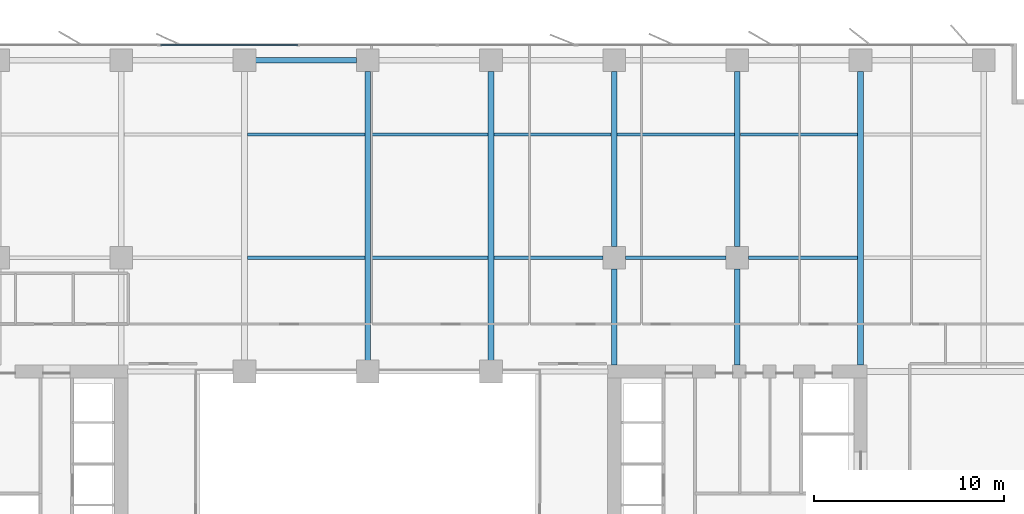
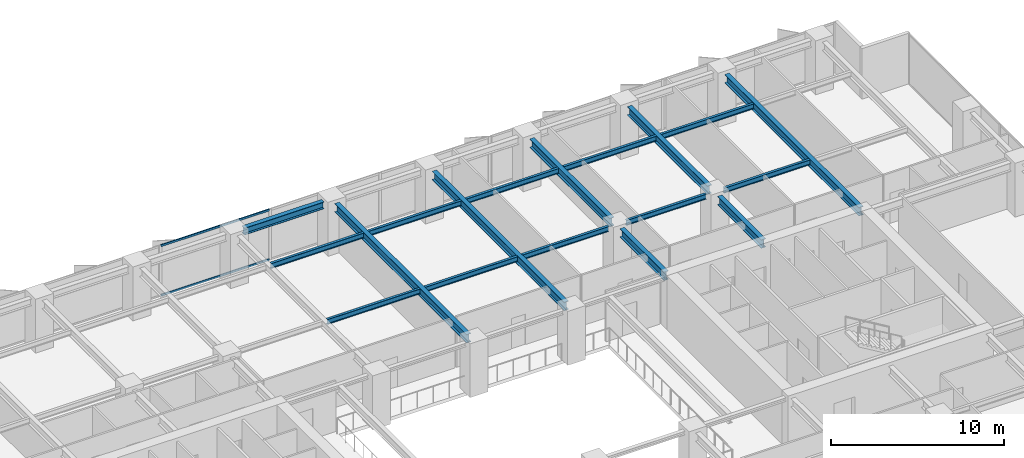
# One storey, part 8 of 20: 18 beams, 2 members, 1 element without a shape of its own.
"""IFC4 building model written with IfcOpenShell, lengths in metres."""

from ifc_helpers import new_model, si_unit, direction, frame, origin, origin_2d, place, context, subcontext, project, spatial, rectangle, i_section, extrude, material, layer, layer_set, material_profile, profile_set, type_object, element, aggregate, save


model = new_model("IFC4")

# Units and contexts
model_context = context("Model", 3, precision=1e-05, world=origin(), true_north=direction((0.0, 1.0)))
body_context = subcontext(model_context, "Body", "Model", "MODEL_VIEW")
ifc_project = project(units=[si_unit("LENGTHUNIT", "METRE"), si_unit("AREAUNIT", "SQUARE_METRE"), si_unit("VOLUMEUNIT", "CUBIC_METRE"), si_unit("PLANEANGLEUNIT", "RADIAN"), si_unit("MASSUNIT", "GRAM", prefix="KILO")], contexts=[model_context])

# Site, building, storey
site_placement = place(None, origin())
site = spatial("IfcSite", under=ifc_project, at=site_placement, CompositionType="ELEMENT")
building_placement = place(site_placement, origin())
building = spatial("IfcBuilding", under=site, at=building_placement, Name="Putna Gate Headquarters", CompositionType="ELEMENT")
storey_placement = place(building_placement, frame((0.0, 0.0, 108.800048828125)))
storey = spatial("IfcBuildingStorey", under=building, at=storey_placement, Name="L26", CompositionType="ELEMENT", Elevation=108.800048828125)

# Beams
ifc_material_1 = material(Name="Steel S355J2", Category="steel")
ifc_material_profile_1 = material_profile(ifc_material_1, i_section(OverallWidth=0.300048828125, OverallDepth=0.60009765625, WebThickness=0.015380859375, FlangeThickness=0.030029296875, at=origin_2d()), Name="Steel S355J2")
ifc_profile_set_1 = profile_set([ifc_material_profile_1], Name="Steel S355J2")
beam_type_1 = type_object("IfcBeamType", Name="BM-GIRD-Z2-HEB600", PredefinedType="USERDEFINED", material=ifc_profile_set_1)
for number, where, z_axis, x_axis, name in (
    (1, (39.0, 33.587890625, 3.264892578125), (0.0, 1.0, 0.0), (-1.0, 0.0, 0.0), "L26 North Primary Girder X39"),
    (2, (45.5, 33.587890625, 3.264892578125), (0.0, 1.0, 0.0), (-1.0, 0.0, 0.0), "L26 North Primary Girder X45"),
):
    element("IfcBeam", number, at=place(storey_placement, frame(where, z_axis=z_axis, x_axis=x_axis)), inside=storey, type_object=beam_type_1, Name=name, ObjectType="GIRDER", PredefinedType="USERDEFINED", context=body_context, shape_type="SweptSolid", body=[
        extrude(i_section(OverallWidth=0.300048828125, OverallDepth=0.60009765625, WebThickness=0.015380859375, FlangeThickness=0.030029296875, at=origin_2d()), origin(), (0.0, 0.0, 1.0), 15.244140625),
    ])
beam_1_placement = place(storey_placement, frame((52.0, 33.3349609375, 3.264892578125), z_axis=(0.0, 1.0, 0.0), x_axis=(-1.0, 0.0, 0.0)))
element("IfcBeam", 3, at=beam_1_placement, inside=storey, type_object=beam_type_1, Name="L26 North Primary Girder X52-1", ObjectType="GIRDER", PredefinedType="USERDEFINED", context=body_context, shape_type="SweptSolid", body=[
    extrude(i_section(OverallWidth=0.300048828125, OverallDepth=0.60009765625, WebThickness=0.015380859375, FlangeThickness=0.030029296875, at=origin_2d()), origin(), (0.0, 0.0, 1.0), 5.0771484375),
])
beam_2_placement = place(storey_placement, frame((52.0, 39.587890625, 3.264892578125), z_axis=(0.0, 1.0, 0.0), x_axis=(-1.0, 0.0, 0.0)))
element("IfcBeam", 4, at=beam_2_placement, inside=storey, type_object=beam_type_1, Name="L26 North Primary Girder X52-2", ObjectType="GIRDER", PredefinedType="USERDEFINED", context=body_context, shape_type="SweptSolid", body=[
    extrude(i_section(OverallWidth=0.300048828125, OverallDepth=0.60009765625, WebThickness=0.015380859375, FlangeThickness=0.030029296875, at=origin_2d()), origin(), (0.0, 0.0, 1.0), 9.244140625),
])
beam_3_placement = place(storey_placement, frame((58.5, 33.3349609375, 3.264892578125), z_axis=(0.0, 1.0, 0.0), x_axis=(-1.0, 0.0, 0.0)))
element("IfcBeam", 5, at=beam_3_placement, inside=storey, type_object=beam_type_1, Name="L26 North Primary Girder X58-1", ObjectType="GIRDER", PredefinedType="USERDEFINED", context=body_context, shape_type="SweptSolid", body=[
    extrude(i_section(OverallWidth=0.300048828125, OverallDepth=0.60009765625, WebThickness=0.015380859375, FlangeThickness=0.030029296875, at=origin_2d()), origin(), (0.0, 0.0, 1.0), 5.0771484375),
])
beam_4_placement = place(storey_placement, frame((58.5, 39.587890625, 3.264892578125), z_axis=(0.0, 1.0, 0.0), x_axis=(-1.0, 0.0, 0.0)))
element("IfcBeam", 6, at=beam_4_placement, inside=storey, type_object=beam_type_1, Name="L26 North Primary Girder X58-2", ObjectType="GIRDER", PredefinedType="USERDEFINED", context=body_context, shape_type="SweptSolid", body=[
    extrude(i_section(OverallWidth=0.300048828125, OverallDepth=0.60009765625, WebThickness=0.015380859375, FlangeThickness=0.030029296875, at=origin_2d()), origin(), (0.0, 0.0, 1.0), 9.244140625),
])
beam_5_placement = place(storey_placement, frame((65.0, 33.3349609375, 3.264892578125), z_axis=(0.0, 1.0, 0.0), x_axis=(-1.0, 0.0, 0.0)))
element("IfcBeam", 7, at=beam_5_placement, inside=storey, type_object=beam_type_1, Name="L26 North Primary Girder X65", ObjectType="GIRDER", PredefinedType="USERDEFINED", context=body_context, shape_type="SweptSolid", body=[
    extrude(i_section(OverallWidth=0.300048828125, OverallDepth=0.60009765625, WebThickness=0.015380859375, FlangeThickness=0.030029296875, at=origin_2d()), origin(), (0.0, 0.0, 1.0), 15.4970703125),
])
ifc_material_profile_2 = material_profile(ifc_material_1, i_section(OverallWidth=0.169921875, OverallDepth=0.360107421875, WebThickness=0.008056640625, FlangeThickness=0.0126953125, at=origin_2d()), Name="Steel S355J2")
ifc_profile_set_2 = profile_set([ifc_material_profile_2], Name="Steel S355J2")
beam_type_2 = type_object("IfcBeamType", Name="BM-SEC-Z2-IPE360", PredefinedType="BEAM", material=ifc_profile_set_2)
for number, where, z_axis, x_axis, name in (
    (8, (32.654052734375, 39.0, 3.385009765625), (1.0, 0.0, 0.0), (0.0, 1.0, 0.0), "L26 North Secondary Beam 5"),
    (9, (32.654052734375, 45.5, 3.385009765625), (1.0, 0.0, 0.0), (0.0, 1.0, 0.0), "L26 North Secondary Beam 5"),
    (10, (39.154052734375, 39.0, 3.385009765625), (1.0, 0.0, 0.0), (0.0, 1.0, 0.0), "L26 North Secondary Beam 6"),
    (11, (39.154052734375, 45.5, 3.385009765625), (1.0, 0.0, 0.0), (0.0, 1.0, 0.0), "L26 North Secondary Beam 6"),
):
    element("IfcBeam", number, at=place(storey_placement, frame(where, z_axis=z_axis, x_axis=x_axis)), inside=storey, type_object=beam_type_2, Name=name, PredefinedType="BEAM", context=body_context, shape_type="SweptSolid", body=[
        extrude(i_section(OverallWidth=0.169921875, OverallDepth=0.360107421875, WebThickness=0.008056640625, FlangeThickness=0.0126953125, at=origin_2d()), origin(), (0.0, 0.0, 1.0), 6.19189453125),
    ])
beam_6_placement = place(storey_placement, frame((45.654052734375, 39.0, 3.385009765625), z_axis=(1.0, 0.0, 0.0), x_axis=(0.0, 1.0, 0.0)))
element("IfcBeam", 12, at=beam_6_placement, inside=storey, type_object=beam_type_2, Name="L26 North Secondary Beam 7", PredefinedType="BEAM", context=body_context, shape_type="SweptSolid", body=[
    extrude(i_section(OverallWidth=0.169921875, OverallDepth=0.360107421875, WebThickness=0.008056640625, FlangeThickness=0.0126953125, at=origin_2d()), origin(), (0.0, 0.0, 1.0), 5.758056640625),
])
beam_7_placement = place(storey_placement, frame((45.654052734375, 45.5, 3.385009765625), z_axis=(1.0, 0.0, 0.0), x_axis=(0.0, 1.0, 0.0)))
element("IfcBeam", 13, at=beam_7_placement, inside=storey, type_object=beam_type_2, Name="L26 North Secondary Beam 7", PredefinedType="BEAM", context=body_context, shape_type="SweptSolid", body=[
    extrude(i_section(OverallWidth=0.169921875, OverallDepth=0.360107421875, WebThickness=0.008056640625, FlangeThickness=0.0126953125, at=origin_2d()), origin(), (0.0, 0.0, 1.0), 6.19189453125),
])
beam_8_placement = place(storey_placement, frame((52.587890625, 39.0, 3.385009765625), z_axis=(1.0, 0.0, 0.0), x_axis=(0.0, 1.0, 0.0)))
element("IfcBeam", 14, at=beam_8_placement, inside=storey, type_object=beam_type_2, Name="L26 North Secondary Beam 8", PredefinedType="BEAM", context=body_context, shape_type="SweptSolid", body=[
    extrude(i_section(OverallWidth=0.169921875, OverallDepth=0.360107421875, WebThickness=0.008056640625, FlangeThickness=0.0126953125, at=origin_2d()), origin(), (0.0, 0.0, 1.0), 5.32421875),
])
beam_9_placement = place(storey_placement, frame((52.154052734375, 45.5, 3.385009765625), z_axis=(1.0, 0.0, 0.0), x_axis=(0.0, 1.0, 0.0)))
element("IfcBeam", 15, at=beam_9_placement, inside=storey, type_object=beam_type_2, Name="L26 North Secondary Beam 8", PredefinedType="BEAM", context=body_context, shape_type="SweptSolid", body=[
    extrude(i_section(OverallWidth=0.169921875, OverallDepth=0.360107421875, WebThickness=0.008056640625, FlangeThickness=0.0126953125, at=origin_2d()), origin(), (0.0, 0.0, 1.0), 6.19189453125),
])
beam_10_placement = place(storey_placement, frame((59.087890625, 39.0, 3.385009765625), z_axis=(1.0, 0.0, 0.0), x_axis=(0.0, 1.0, 0.0)))
element("IfcBeam", 16, at=beam_10_placement, inside=storey, type_object=beam_type_2, Name="L26 North Secondary Beam 9", PredefinedType="BEAM", context=body_context, shape_type="SweptSolid", body=[
    extrude(i_section(OverallWidth=0.169921875, OverallDepth=0.360107421875, WebThickness=0.008056640625, FlangeThickness=0.0126953125, at=origin_2d()), origin(), (0.0, 0.0, 1.0), 5.758056640625),
])
beam_11_placement = place(storey_placement, frame((58.654052734375, 45.5, 3.385009765625), z_axis=(1.0, 0.0, 0.0), x_axis=(0.0, 1.0, 0.0)))
element("IfcBeam", 17, at=beam_11_placement, inside=storey, type_object=beam_type_2, Name="L26 North Secondary Beam 9", PredefinedType="BEAM", context=body_context, shape_type="SweptSolid", body=[
    extrude(i_section(OverallWidth=0.169921875, OverallDepth=0.360107421875, WebThickness=0.008056640625, FlangeThickness=0.0126953125, at=origin_2d()), origin(), (0.0, 0.0, 1.0), 6.19189453125),
])
ifc_material_profile_3 = material_profile(ifc_material_1, i_section(OverallWidth=0.300048828125, OverallDepth=0.489990234375, WebThickness=0.011962890625, FlangeThickness=0.02294921875, at=origin_2d()), Name="Steel S355J2")
ifc_profile_set_3 = profile_set([ifc_material_profile_3], Name="Steel S355J2")
beam_type_3 = type_object("IfcBeamType", Name="BM-SPAN-Z2-HEA500", PredefinedType="SPANDREL", material=ifc_profile_set_3)
beam_12_placement = place(storey_placement, frame((33.087890625, 49.419921875, 3.320068359375), z_axis=(1.0, 0.0, 0.0), x_axis=(0.0, 1.0, 0.0)))
element("IfcBeam", 18, at=beam_12_placement, inside=storey, type_object=beam_type_3, Name="L26 N Perimeter Spandrel 5", PredefinedType="SPANDREL", context=body_context, shape_type="SweptSolid", body=[
    extrude(i_section(OverallWidth=0.300048828125, OverallDepth=0.489990234375, WebThickness=0.011962890625, FlangeThickness=0.02294921875, at=origin_2d()), origin(), (0.0, 0.0, 1.0), 5.32421875),
])

# Curtain wall, members
ifc_material_2 = material(Name="Anodised bronze aluminium curtain wall", Category="aluminium")
ifc_layer = layer(ifc_material_2, 0.179931640625)
ifc_layer_set = layer_set([ifc_layer], Name="Anodised bronze aluminium curtain wall")
curtain_wall_type = type_object("IfcCurtainWallType", Name="CW-SYS-ATR", PredefinedType="USERDEFINED", material=ifc_layer_set)
curtain_wall_placement = place(storey_placement, origin())
curtain_wall = element("IfcCurtainWall", 19, at=curtain_wall_placement, inside=storey, type_object=curtain_wall_type, Name="L26 North Atrium Clear Glazing", ObjectType="ATRIUM GLAZING", PredefinedType="USERDEFINED")
ifc_material_3 = material(Name="Anodised bronze aluminium EN AW-6060", Category="aluminium")
ifc_material_profile_4 = material_profile(ifc_material_3, rectangle(XDim=0.070068359375, YDim=0.139892578125, at=origin_2d()), Name="Anodised bronze aluminium EN AW-6060")
ifc_profile_set_4 = profile_set([ifc_material_profile_4], Name="Anodised bronze aluminium EN AW-6060")
member_type = type_object("IfcMemberType", Name="TRAN-CWT-AT", PredefinedType="USERDEFINED", material=ifc_profile_set_4)
member_1_placement = place(storey_placement, frame((28.070068359375, 50.219970703125, 0.034912109375), z_axis=(1.0, 0.0, 0.0), x_axis=(0.0, 1.0, 0.0)))
member_1 = element("IfcMember", 20, at=member_1_placement, type_object=member_type, Name="CWS-AT transom 1.1", ObjectType="TRANSOM", PredefinedType="USERDEFINED", context=body_context, shape_type="SweptSolid", body=[
    extrude(rectangle(XDim=0.070068359375, YDim=0.139892578125, at=origin_2d()), origin(), (0.0, 0.0, 1.0), 7.228271484375),
])
member_2_placement = place(storey_placement, frame((28.070068359375, 50.219970703125, 3.530029296875), z_axis=(1.0, 0.0, 0.0), x_axis=(0.0, 1.0, 0.0)))
member_2 = element("IfcMember", 21, at=member_2_placement, type_object=member_type, Name="CWS-AT transom 1.2", ObjectType="TRANSOM", PredefinedType="USERDEFINED", context=body_context, shape_type="SweptSolid", body=[
    extrude(rectangle(XDim=0.070068359375, YDim=0.139892578125, at=origin_2d()), origin(), (0.0, 0.0, 1.0), 7.228271484375),
])
aggregate(curtain_wall, [member_1, member_2])

save(model, "model.ifc")
